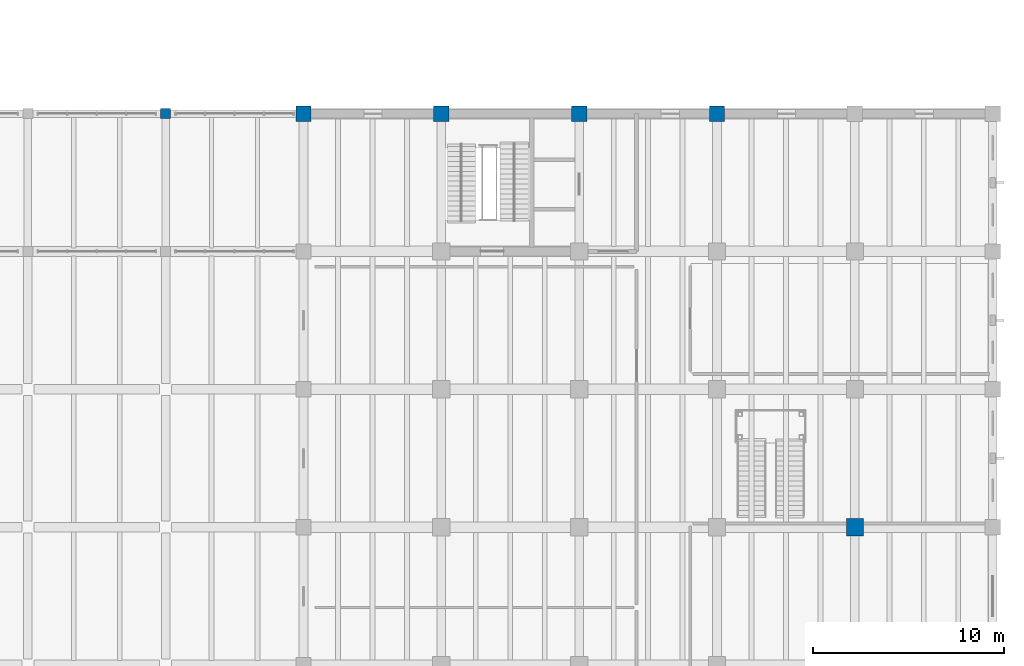
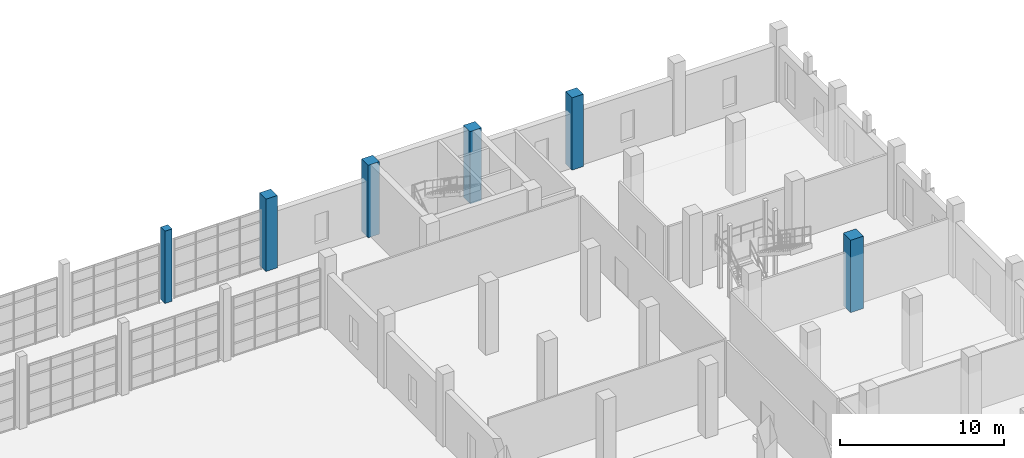
# One storey, part 16 of 79: 6 columns.
"""IFC4 building model written with IfcOpenShell, lengths in metres."""

from ifc_helpers import new_model, si_unit, direction, frame, origin, origin_2d, place, context, subcontext, project, spatial, rectangle, extrude, material, material_profile, profile_set, type_object, element, save


model = new_model("IFC4")

# Units and contexts
model_context = context("Model", 3, precision=1e-05, world=origin(), true_north=direction((0.0, 1.0)))
body_context = subcontext(model_context, "Body", "Model", "MODEL_VIEW")
ifc_project = project(units=[si_unit("LENGTHUNIT", "METRE"), si_unit("AREAUNIT", "SQUARE_METRE"), si_unit("VOLUMEUNIT", "CUBIC_METRE"), si_unit("PLANEANGLEUNIT", "RADIAN"), si_unit("MASSUNIT", "GRAM", prefix="KILO")], contexts=[model_context])

# Site, building, storey
site_placement = place(None, origin())
site = spatial("IfcSite", under=ifc_project, at=site_placement, CompositionType="ELEMENT")
building_placement = place(site_placement, origin())
building = spatial("IfcBuilding", under=site, at=building_placement, Name="Qiaolan Assembly House", CompositionType="ELEMENT")
storey_placement = place(building_placement, origin())
storey = spatial("IfcBuildingStorey", under=building, at=storey_placement, Name="L00", CompositionType="ELEMENT", Elevation=0.0)

# Columns
ifc_material_1 = material(Name="Concrete C45/55", Category="concrete")
ifc_material_profile_1 = material_profile(ifc_material_1, rectangle(XDim=0.800048828125, YDim=0.800048828125, at=origin_2d()), Name="RC 800x800")
ifc_profile_set_1 = profile_set([ifc_material_profile_1], Name="Concrete C45/55")
column_type_1 = type_object("IfcColumnType", Name="COL-RC-800", PredefinedType="COLUMN", material=ifc_profile_set_1)
for number, where, z_axis, x_axis, name in (
    (1, (136.800048828125, 86.39990234375, 0.0), (0.0, 0.0, 1.0), (1.0, 0.0, 0.0), "RC-05 library column L00"),
    (2, (144.0, 86.39990234375, 0.0), (0.0, 0.0, 1.0), (1.0, 0.0, 0.0), "RC-05 library column L00"),
    (3, (151.199951171875, 86.39990234375, 0.0), (0.0, 0.0, 1.0), (1.0, 0.0, 0.0), "RC-05 library column L00"),
    (4, (158.39990234375, 86.39990234375, 0.0), (0.0, 0.0, 1.0), (1.0, 0.0, 0.0), "RC-05 library column L00"),
):
    element("IfcColumn", number, at=place(storey_placement, frame(where, z_axis=z_axis, x_axis=x_axis)), inside=storey, type_object=column_type_1, Name=name, PredefinedType="COLUMN", context=body_context, shape_type="SweptSolid", body=[
        extrude(rectangle(XDim=0.800048828125, YDim=0.800048828125, at=origin_2d()), origin(), (0.0, 0.0, 1.0), 5.39990234375),
    ])
ifc_material_2 = material(Name="Concrete C50/60", Category="concrete")
ifc_material_profile_2 = material_profile(ifc_material_2, rectangle(XDim=0.89990234375, YDim=0.89990234375, at=origin_2d()), Name="RC 900x900")
ifc_profile_set_2 = profile_set([ifc_material_profile_2], Name="Concrete C50/60")
column_type_2 = type_object("IfcColumnType", Name="COL-RC-900", PredefinedType="COLUMN", material=ifc_profile_set_2)
column_1_placement = place(storey_placement, frame((165.60009765625, 64.800048828125, 0.0), z_axis=(0.0, 0.0, 1.0), x_axis=(1.0, 0.0, 0.0)))
element("IfcColumn", 5, at=column_1_placement, inside=storey, type_object=column_type_2, Name="RC-03 library column L00", PredefinedType="COLUMN", context=body_context, shape_type="SweptSolid", body=[
    extrude(rectangle(XDim=0.89990234375, YDim=0.89990234375, at=origin_2d()), origin(), (0.0, 0.0, 1.0), 5.39990234375),
])
ifc_material_3 = material(Name="Precast concrete C45/55", Category="concrete")
ifc_material_profile_3 = material_profile(ifc_material_3, rectangle(XDim=0.52001953125, YDim=0.52001953125, at=origin_2d()), Name="PIL 520x520")
ifc_profile_set_3 = profile_set([ifc_material_profile_3], Name="Precast concrete C45/55")
column_type_3 = type_object("IfcColumnType", Name="PIL-CLOISTER-520", PredefinedType="PILASTER", material=ifc_profile_set_3)
column_2_placement = place(storey_placement, frame((129.60009765625, 86.39990234375, 0.0), z_axis=(0.0, 0.0, 1.0), x_axis=(1.0, 0.0, 0.0)))
element("IfcColumn", 6, at=column_2_placement, inside=storey, type_object=column_type_3, Name="PL-06 cloister pier L00", PredefinedType="PILASTER", context=body_context, shape_type="SweptSolid", body=[
    extrude(rectangle(XDim=0.52001953125, YDim=0.52001953125, at=origin_2d()), origin(), (0.0, 0.0, 1.0), 5.39990234375),
])

save(model, "model.ifc")
